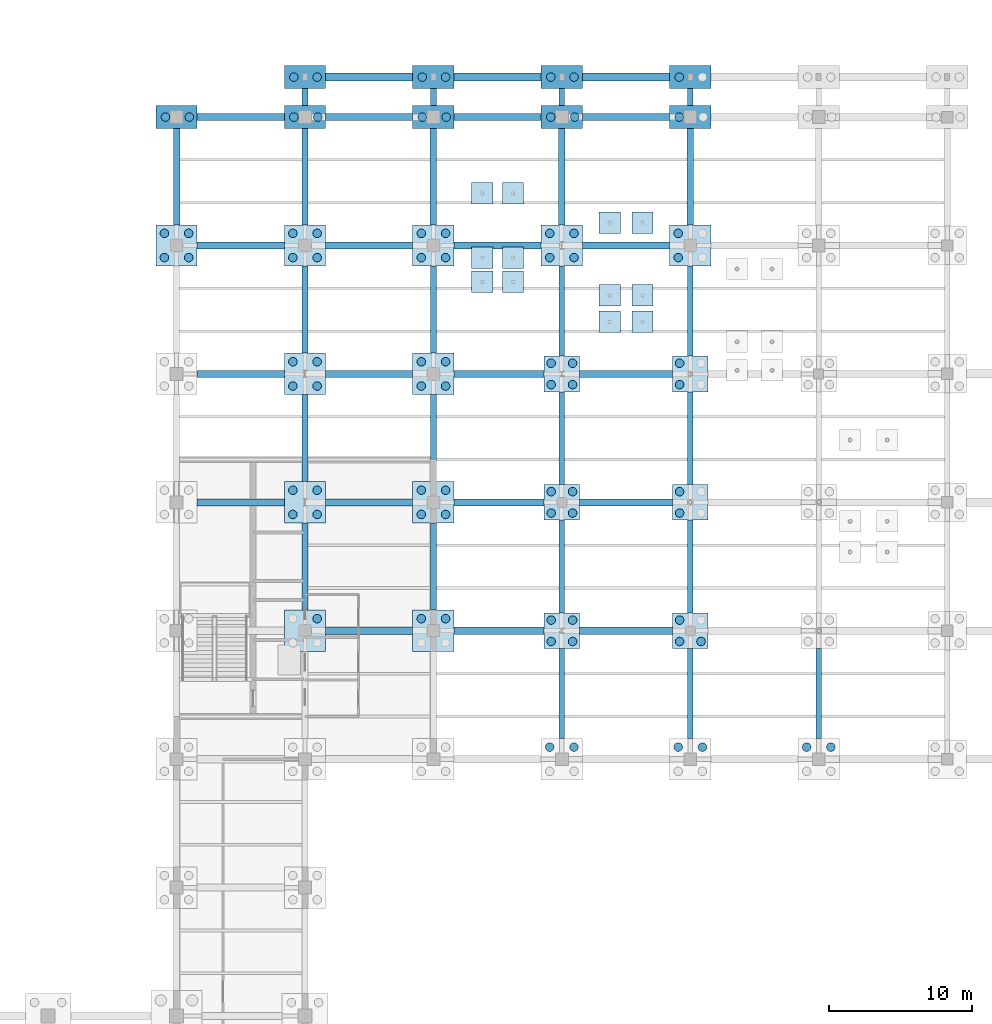
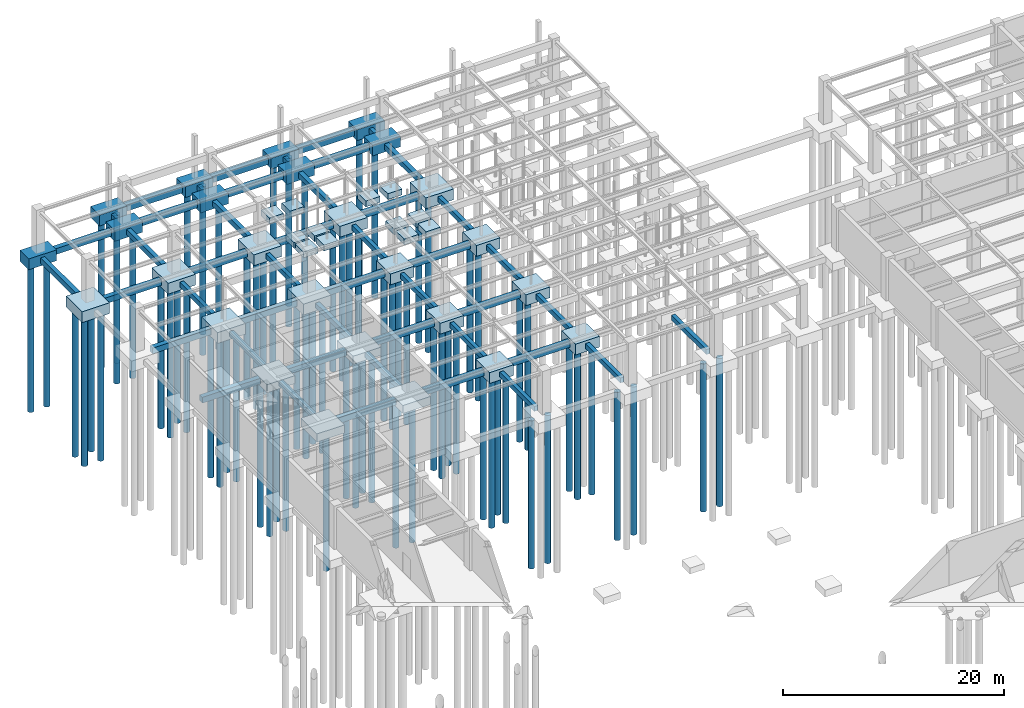
# One storey, part 5 of 49: 84 footings, 78 piles.
"""IFC4 building model written with IfcOpenShell, lengths in metres."""

from ifc_helpers import new_model, si_unit, direction, frame, origin, origin_2d, place, context, subcontext, project, spatial, rectangle, circle, extrude, material, material_profile, profile_set, type_object, element, save


model = new_model("IFC4")

# Units and contexts
model_context = context("Model", 3, precision=1e-05, world=origin(), true_north=direction((0.0, 1.0)))
body_context = subcontext(model_context, "Body", "Model", "MODEL_VIEW")
ifc_project = project(units=[si_unit("LENGTHUNIT", "METRE"), si_unit("AREAUNIT", "SQUARE_METRE"), si_unit("VOLUMEUNIT", "CUBIC_METRE"), si_unit("PLANEANGLEUNIT", "RADIAN"), si_unit("MASSUNIT", "GRAM", prefix="KILO")], contexts=[model_context])

# Site, building, storey
site_placement = place(None, origin())
site = spatial("IfcSite", under=ifc_project, at=site_placement, CompositionType="ELEMENT")
building_placement = place(site_placement, origin())
building = spatial("IfcBuilding", under=site, at=building_placement, Name="Lykobir Media Centre", CompositionType="ELEMENT")
storey_placement = place(building_placement, frame((0.0, 0.0, -4.800048828125)))
storey = spatial("IfcBuildingStorey", under=building, at=storey_placement, Name="B1", CompositionType="ELEMENT", Elevation=-4.800048828125)

# Piles
ifc_material_1 = material(Name="Concrete C30/37", Category="concrete")
ifc_material_profile = material_profile(ifc_material_1, circle(Radius=0.300048828125, at=origin_2d()), Name="BORED PILE D600")
ifc_profile_set = profile_set([ifc_material_profile], Name="Concrete C30/37")
pile_type = type_object("IfcPileType", Name="BP-600", PredefinedType="BORED", material=ifc_profile_set)
for number, where, z_axis, x_axis, name in (
    (1, (26.14990234375, 98.14990234375, -1.099853515625), (0.0, 0.0, -1.0), (1.0, 0.0, 0.0), "Bored pile PILE-0262-0982-1"),
    (2, (27.85009765625, 98.14990234375, -1.099853515625), (0.0, 0.0, -1.0), (1.0, 0.0, 0.0), "Bored pile PILE-0278-0982-2"),
    (3, (26.14990234375, 99.85009765625, -1.099853515625), (0.0, 0.0, -1.0), (1.0, 0.0, 0.0), "Bored pile PILE-0262-0998-3"),
    (4, (27.85009765625, 99.85009765625, -1.099853515625), (0.0, 0.0, -1.0), (1.0, 0.0, 0.0), "Bored pile PILE-0278-0998-4"),
    (5, (26.219970703125, 108.0, -1.099853515625), (0.0, 0.0, -1.0), (1.0, 0.0, 0.0), "Bored pile PILE-0262-1080-1"),
    (6, (27.89990234375, 108.0, -1.099853515625), (0.0, 0.0, -1.0), (1.0, 0.0, 0.0), "Bored pile PILE-0279-1080-2"),
    (7, (36.85009765625, 72.85009765625, -1.099853515625), (0.0, 0.0, -1.0), (1.0, 0.0, 0.0), "Bored pile PILE-0368-0728-4"),
    (8, (35.14990234375, 80.14990234375, -1.099853515625), (0.0, 0.0, -1.0), (1.0, 0.0, 0.0), "Bored pile PILE-0352-0802-1"),
    (9, (36.85009765625, 80.14990234375, -1.099853515625), (0.0, 0.0, -1.0), (1.0, 0.0, 0.0), "Bored pile PILE-0368-0802-2"),
    (10, (35.14990234375, 81.85009765625, -1.099853515625), (0.0, 0.0, -1.0), (1.0, 0.0, 0.0), "Bored pile PILE-0352-0818-3"),
    (11, (36.85009765625, 81.85009765625, -1.099853515625), (0.0, 0.0, -1.0), (1.0, 0.0, 0.0), "Bored pile PILE-0368-0818-4"),
    (12, (35.14990234375, 89.14990234375, -1.099853515625), (0.0, 0.0, -1.0), (1.0, 0.0, 0.0), "Bored pile PILE-0352-0892-1"),
    (13, (36.85009765625, 89.14990234375, -1.099853515625), (0.0, 0.0, -1.0), (1.0, 0.0, 0.0), "Bored pile PILE-0368-0892-2"),
    (14, (35.14990234375, 90.85009765625, -1.099853515625), (0.0, 0.0, -1.0), (1.0, 0.0, 0.0), "Bored pile PILE-0352-0908-3"),
    (15, (36.85009765625, 90.85009765625, -1.099853515625), (0.0, 0.0, -1.0), (1.0, 0.0, 0.0), "Bored pile PILE-0368-0908-4"),
    (16, (35.14990234375, 98.14990234375, -1.099853515625), (0.0, 0.0, -1.0), (1.0, 0.0, 0.0), "Bored pile PILE-0352-0982-1"),
    (17, (36.85009765625, 98.14990234375, -1.099853515625), (0.0, 0.0, -1.0), (1.0, 0.0, 0.0), "Bored pile PILE-0368-0982-2"),
    (18, (35.14990234375, 99.85009765625, -1.099853515625), (0.0, 0.0, -1.0), (1.0, 0.0, 0.0), "Bored pile PILE-0352-0998-3"),
    (19, (36.85009765625, 99.85009765625, -1.099853515625), (0.0, 0.0, -1.0), (1.0, 0.0, 0.0), "Bored pile PILE-0368-0998-4"),
    (20, (35.219970703125, 108.0, -1.099853515625), (0.0, 0.0, -1.0), (1.0, 0.0, 0.0), "Bored pile PILE-0352-1080-1"),
    (21, (36.89990234375, 108.0, -1.099853515625), (0.0, 0.0, -1.0), (1.0, 0.0, 0.0), "Bored pile PILE-0369-1080-2"),
    (22, (44.14990234375, 72.85009765625, -1.099853515625), (0.0, 0.0, -1.0), (1.0, 0.0, 0.0), "Bored pile PILE-0442-0728-3"),
    (23, (45.85009765625, 72.85009765625, -1.099853515625), (0.0, 0.0, -1.0), (1.0, 0.0, 0.0), "Bored pile PILE-0458-0728-4"),
    (24, (44.14990234375, 80.14990234375, -1.099853515625), (0.0, 0.0, -1.0), (1.0, 0.0, 0.0), "Bored pile PILE-0442-0802-1"),
    (25, (45.85009765625, 80.14990234375, -1.099853515625), (0.0, 0.0, -1.0), (1.0, 0.0, 0.0), "Bored pile PILE-0458-0802-2"),
    (26, (44.14990234375, 81.85009765625, -1.099853515625), (0.0, 0.0, -1.0), (1.0, 0.0, 0.0), "Bored pile PILE-0442-0818-3"),
    (27, (45.85009765625, 81.85009765625, -1.099853515625), (0.0, 0.0, -1.0), (1.0, 0.0, 0.0), "Bored pile PILE-0458-0818-4"),
    (28, (44.14990234375, 89.14990234375, -1.099853515625), (0.0, 0.0, -1.0), (1.0, 0.0, 0.0), "Bored pile PILE-0442-0892-1"),
    (29, (45.85009765625, 89.14990234375, -1.099853515625), (0.0, 0.0, -1.0), (1.0, 0.0, 0.0), "Bored pile PILE-0458-0892-2"),
    (30, (44.14990234375, 90.85009765625, -1.099853515625), (0.0, 0.0, -1.0), (1.0, 0.0, 0.0), "Bored pile PILE-0442-0908-3"),
    (31, (45.85009765625, 90.85009765625, -1.099853515625), (0.0, 0.0, -1.0), (1.0, 0.0, 0.0), "Bored pile PILE-0458-0908-4"),
    (32, (44.14990234375, 98.14990234375, -1.099853515625), (0.0, 0.0, -1.0), (1.0, 0.0, 0.0), "Bored pile PILE-0442-0982-1"),
    (33, (45.85009765625, 98.14990234375, -1.099853515625), (0.0, 0.0, -1.0), (1.0, 0.0, 0.0), "Bored pile PILE-0458-0982-2"),
    (34, (44.14990234375, 99.85009765625, -1.099853515625), (0.0, 0.0, -1.0), (1.0, 0.0, 0.0), "Bored pile PILE-0442-0998-3"),
    (35, (45.85009765625, 99.85009765625, -1.099853515625), (0.0, 0.0, -1.0), (1.0, 0.0, 0.0), "Bored pile PILE-0458-0998-4"),
    (36, (44.219970703125, 108.0, -1.099853515625), (0.0, 0.0, -1.0), (1.0, 0.0, 0.0), "Bored pile PILE-0442-1080-1"),
    (37, (45.89990234375, 108.0, -1.099853515625), (0.0, 0.0, -1.0), (1.0, 0.0, 0.0), "Bored pile PILE-0459-1080-2"),
    (38, (53.14990234375, 63.85009765625, -1.099853515625), (0.0, 0.0, -1.0), (1.0, 0.0, 0.0), "Bored pile PILE-0532-0638-3"),
    (39, (54.85009765625, 63.85009765625, -1.099853515625), (0.0, 0.0, -1.0), (1.0, 0.0, 0.0), "Bored pile PILE-0548-0638-4"),
    (40, (53.25, 71.25, -1.099853515625), (0.0, 0.0, -1.0), (1.0, 0.0, 0.0), "Bored pile PILE-0532-0712-1"),
    (41, (54.75, 71.25, -1.099853515625), (0.0, 0.0, -1.0), (1.0, 0.0, 0.0), "Bored pile PILE-0548-0712-2"),
    (42, (53.25, 72.75, -1.099853515625), (0.0, 0.0, -1.0), (1.0, 0.0, 0.0), "Bored pile PILE-0532-0728-3"),
    (43, (54.75, 72.75, -1.099853515625), (0.0, 0.0, -1.0), (1.0, 0.0, 0.0), "Bored pile PILE-0548-0728-4"),
    (44, (53.25, 80.25, -1.099853515625), (0.0, 0.0, -1.0), (1.0, 0.0, 0.0), "Bored pile PILE-0532-0802-1"),
    (45, (54.75, 80.25, -1.099853515625), (0.0, 0.0, -1.0), (1.0, 0.0, 0.0), "Bored pile PILE-0548-0802-2"),
    (46, (53.25, 81.75, -1.099853515625), (0.0, 0.0, -1.0), (1.0, 0.0, 0.0), "Bored pile PILE-0532-0818-3"),
    (47, (54.75, 81.75, -1.099853515625), (0.0, 0.0, -1.0), (1.0, 0.0, 0.0), "Bored pile PILE-0548-0818-4"),
    (48, (53.25, 89.25, -1.099853515625), (0.0, 0.0, -1.0), (1.0, 0.0, 0.0), "Bored pile PILE-0532-0892-1"),
    (49, (54.75, 89.25, -1.099853515625), (0.0, 0.0, -1.0), (1.0, 0.0, 0.0), "Bored pile PILE-0548-0892-2"),
    (50, (53.25, 90.75, -1.099853515625), (0.0, 0.0, -1.0), (1.0, 0.0, 0.0), "Bored pile PILE-0532-0908-3"),
    (51, (54.75, 90.75, -1.099853515625), (0.0, 0.0, -1.0), (1.0, 0.0, 0.0), "Bored pile PILE-0548-0908-4"),
    (52, (53.14990234375, 98.14990234375, -1.099853515625), (0.0, 0.0, -1.0), (1.0, 0.0, 0.0), "Bored pile PILE-0532-0982-1"),
    (53, (54.85009765625, 98.14990234375, -1.099853515625), (0.0, 0.0, -1.0), (1.0, 0.0, 0.0), "Bored pile PILE-0548-0982-2"),
    (54, (53.14990234375, 99.85009765625, -1.099853515625), (0.0, 0.0, -1.0), (1.0, 0.0, 0.0), "Bored pile PILE-0532-0998-3"),
    (55, (54.85009765625, 99.85009765625, -1.099853515625), (0.0, 0.0, -1.0), (1.0, 0.0, 0.0), "Bored pile PILE-0548-0998-4"),
    (56, (53.219970703125, 108.0, -1.099853515625), (0.0, 0.0, -1.0), (1.0, 0.0, 0.0), "Bored pile PILE-0532-1080-1"),
    (57, (54.89990234375, 108.0, -1.099853515625), (0.0, 0.0, -1.0), (1.0, 0.0, 0.0), "Bored pile PILE-0549-1080-2"),
    (58, (62.14990234375, 63.85009765625, -1.099853515625), (0.0, 0.0, -1.0), (1.0, 0.0, 0.0), "Bored pile PILE-0622-0638-3"),
    (59, (63.85009765625, 63.85009765625, -1.099853515625), (0.0, 0.0, -1.0), (1.0, 0.0, 0.0), "Bored pile PILE-0638-0638-4"),
    (60, (62.25, 71.25, -1.099853515625), (0.0, 0.0, -1.0), (1.0, 0.0, 0.0), "Bored pile PILE-0622-0712-1"),
    (61, (63.75, 71.25, -1.099853515625), (0.0, 0.0, -1.0), (1.0, 0.0, 0.0), "Bored pile PILE-0638-0712-2"),
    (62, (62.25, 72.75, -1.099853515625), (0.0, 0.0, -1.0), (1.0, 0.0, 0.0), "Bored pile PILE-0622-0728-3"),
    (63, (62.25, 80.25, -1.099853515625), (0.0, 0.0, -1.0), (1.0, 0.0, 0.0), "Bored pile PILE-0622-0802-1"),
    (64, (62.25, 81.75, -1.099853515625), (0.0, 0.0, -1.0), (1.0, 0.0, 0.0), "Bored pile PILE-0622-0818-3"),
    (65, (62.25, 89.25, -1.099853515625), (0.0, 0.0, -1.0), (1.0, 0.0, 0.0), "Bored pile PILE-0622-0892-1"),
    (66, (62.25, 90.75, -1.099853515625), (0.0, 0.0, -1.0), (1.0, 0.0, 0.0), "Bored pile PILE-0622-0908-3"),
    (67, (62.14990234375, 98.14990234375, -1.099853515625), (0.0, 0.0, -1.0), (1.0, 0.0, 0.0), "Bored pile PILE-0622-0982-1"),
    (68, (62.14990234375, 99.85009765625, -1.099853515625), (0.0, 0.0, -1.0), (1.0, 0.0, 0.0), "Bored pile PILE-0622-0998-3"),
    (69, (62.219970703125, 108.0, -1.099853515625), (0.0, 0.0, -1.0), (1.0, 0.0, 0.0), "Bored pile PILE-0622-1080-1"),
    (70, (71.14990234375, 63.85009765625, -1.099853515625), (0.0, 0.0, -1.0), (1.0, 0.0, 0.0), "Bored pile PILE-0712-0638-3"),
    (71, (72.85009765625, 63.85009765625, -1.099853515625), (0.0, 0.0, -1.0), (1.0, 0.0, 0.0), "Bored pile PILE-0728-0638-4"),
    (72, (35.219970703125, 110.800048828125, -1.099853515625), (0.0, 0.0, -1.0), (1.0, 0.0, 0.0), "Colonnade bored pile PILE-RVK-0352-1108-1"),
    (73, (36.85009765625, 110.800048828125, -1.099853515625), (0.0, 0.0, -1.0), (1.0, 0.0, 0.0), "Colonnade bored pile PILE-RVK-0368-1108-2"),
    (74, (44.219970703125, 110.800048828125, -1.099853515625), (0.0, 0.0, -1.0), (1.0, 0.0, 0.0), "Colonnade bored pile PILE-RVK-0442-1108-1"),
    (75, (45.85009765625, 110.800048828125, -1.099853515625), (0.0, 0.0, -1.0), (1.0, 0.0, 0.0), "Colonnade bored pile PILE-RVK-0458-1108-2"),
    (76, (53.219970703125, 110.800048828125, -1.099853515625), (0.0, 0.0, -1.0), (1.0, 0.0, 0.0), "Colonnade bored pile PILE-RVK-0532-1108-1"),
    (77, (54.85009765625, 110.800048828125, -1.099853515625), (0.0, 0.0, -1.0), (1.0, 0.0, 0.0), "Colonnade bored pile PILE-RVK-0548-1108-2"),
    (78, (62.219970703125, 110.800048828125, -1.099853515625), (0.0, 0.0, -1.0), (1.0, 0.0, 0.0), "Colonnade bored pile PILE-RVK-0622-1108-1"),
):
    element("IfcPile", number, at=place(storey_placement, frame(where, z_axis=z_axis, x_axis=x_axis)), inside=storey, type_object=pile_type, Name=name, PredefinedType="BORED", context=body_context, shape_type="SweptSolid", body=[
        extrude(circle(Radius=0.300048828125, at=origin_2d()), origin(), (0.0, 0.0, 1.0), 16.39990234375),
    ])

# Footings
ifc_material_2 = material(Name="Concrete C35/45", Category="concrete")
footing_type_1 = type_object("IfcFootingType", Name="GB-2", PredefinedType="FOOTING_BEAM", material=ifc_material_2)
for number, where, z_axis, x_axis, name in (
    (79, (40.5, 110.800048828125, -1.0), (0.0, 0.0, 1.0), (1.0, 0.0, 0.0), "Ground tie beam FTG-GB-X-181"),
    (80, (49.5, 110.800048828125, -1.0), (0.0, 0.0, 1.0), (1.0, 0.0, 0.0), "Ground tie beam FTG-GB-X-182"),
    (81, (58.5, 110.800048828125, -1.0), (0.0, 0.0, 1.0), (1.0, 0.0, 0.0), "Ground tie beam FTG-GB-X-183"),
):
    element("IfcFooting", number, at=place(storey_placement, frame(where, z_axis=z_axis, x_axis=x_axis)), inside=storey, type_object=footing_type_1, Name=name, PredefinedType="FOOTING_BEAM", context=body_context, shape_type="SweptSolid", body=[
        extrude(rectangle(XDim=6.10009765625, YDim=0.550048828125, at=origin_2d()), origin(), (0.0, 0.0, 1.0), 0.699951171875),
    ])
footing_type_2 = type_object("IfcFootingType", Name="GB-3", PredefinedType="FOOTING_BEAM", material=ifc_material_2)
footing_1_placement = place(storey_placement, frame((40.5, 72.0, -0.949951171875), z_axis=(0.0, 0.0, 1.0), x_axis=(1.0, 0.0, 0.0)))
element("IfcFooting", 82, at=footing_1_placement, inside=storey, type_object=footing_type_2, Name="Ground tie beam FTG-GB-X-118", PredefinedType="FOOTING_BEAM", context=body_context, shape_type="SweptSolid", body=[
    extrude(rectangle(XDim=6.10009765625, YDim=0.5, at=origin_2d()), origin(), (0.0, 0.0, 1.0), 0.64990234375),
])
footing_2_placement = place(storey_placement, frame((49.60009765625, 72.0, -0.949951171875), z_axis=(0.0, 0.0, 1.0), x_axis=(1.0, 0.0, 0.0)))
element("IfcFooting", 83, at=footing_2_placement, inside=storey, type_object=footing_type_2, Name="Ground tie beam FTG-GB-X-119", PredefinedType="FOOTING_BEAM", context=body_context, shape_type="SweptSolid", body=[
    extrude(rectangle(XDim=6.300048828125, YDim=0.5, at=origin_2d()), origin(), (0.0, 0.0, 1.0), 0.64990234375),
])
footing_3_placement = place(storey_placement, frame((58.5, 72.0, -0.949951171875), z_axis=(0.0, 0.0, 1.0), x_axis=(1.0, 0.0, 0.0)))
element("IfcFooting", 84, at=footing_3_placement, inside=storey, type_object=footing_type_2, Name="Ground tie beam FTG-GB-X-120", PredefinedType="FOOTING_BEAM", context=body_context, shape_type="SweptSolid", body=[
    extrude(rectangle(XDim=6.5, YDim=0.5, at=origin_2d()), origin(), (0.0, 0.0, 1.0), 0.64990234375),
])
for number, where, z_axis, x_axis, name in (
    (85, (31.5, 81.0, -0.949951171875), (0.0, 0.0, 1.0), (1.0, 0.0, 0.0), "Ground tie beam FTG-GB-X-133"),
    (86, (40.5, 81.0, -0.949951171875), (0.0, 0.0, 1.0), (1.0, 0.0, 0.0), "Ground tie beam FTG-GB-X-134"),
):
    element("IfcFooting", number, at=place(storey_placement, frame(where, z_axis=z_axis, x_axis=x_axis)), inside=storey, type_object=footing_type_2, Name=name, PredefinedType="FOOTING_BEAM", context=body_context, shape_type="SweptSolid", body=[
        extrude(rectangle(XDim=6.10009765625, YDim=0.5, at=origin_2d()), origin(), (0.0, 0.0, 1.0), 0.64990234375),
    ])
footing_4_placement = place(storey_placement, frame((49.60009765625, 81.0, -0.949951171875), z_axis=(0.0, 0.0, 1.0), x_axis=(1.0, 0.0, 0.0)))
element("IfcFooting", 87, at=footing_4_placement, inside=storey, type_object=footing_type_2, Name="Ground tie beam FTG-GB-X-135", PredefinedType="FOOTING_BEAM", context=body_context, shape_type="SweptSolid", body=[
    extrude(rectangle(XDim=6.300048828125, YDim=0.5, at=origin_2d()), origin(), (0.0, 0.0, 1.0), 0.64990234375),
])
footing_5_placement = place(storey_placement, frame((58.5, 81.0, -0.949951171875), z_axis=(0.0, 0.0, 1.0), x_axis=(1.0, 0.0, 0.0)))
element("IfcFooting", 88, at=footing_5_placement, inside=storey, type_object=footing_type_2, Name="Ground tie beam FTG-GB-X-136", PredefinedType="FOOTING_BEAM", context=body_context, shape_type="SweptSolid", body=[
    extrude(rectangle(XDim=6.5, YDim=0.5, at=origin_2d()), origin(), (0.0, 0.0, 1.0), 0.64990234375),
])
for number, where, z_axis, x_axis, name in (
    (89, (31.5, 90.0, -0.949951171875), (0.0, 0.0, 1.0), (1.0, 0.0, 0.0), "Ground tie beam FTG-GB-X-148"),
    (90, (40.5, 90.0, -0.949951171875), (0.0, 0.0, 1.0), (1.0, 0.0, 0.0), "Ground tie beam FTG-GB-X-149"),
):
    element("IfcFooting", number, at=place(storey_placement, frame(where, z_axis=z_axis, x_axis=x_axis)), inside=storey, type_object=footing_type_2, Name=name, PredefinedType="FOOTING_BEAM", context=body_context, shape_type="SweptSolid", body=[
        extrude(rectangle(XDim=6.10009765625, YDim=0.5, at=origin_2d()), origin(), (0.0, 0.0, 1.0), 0.64990234375),
    ])
footing_6_placement = place(storey_placement, frame((49.60009765625, 90.0, -0.949951171875), z_axis=(0.0, 0.0, 1.0), x_axis=(1.0, 0.0, 0.0)))
element("IfcFooting", 91, at=footing_6_placement, inside=storey, type_object=footing_type_2, Name="Ground tie beam FTG-GB-X-150", PredefinedType="FOOTING_BEAM", context=body_context, shape_type="SweptSolid", body=[
    extrude(rectangle(XDim=6.300048828125, YDim=0.5, at=origin_2d()), origin(), (0.0, 0.0, 1.0), 0.64990234375),
])
footing_7_placement = place(storey_placement, frame((58.5, 90.0, -0.949951171875), z_axis=(0.0, 0.0, 1.0), x_axis=(1.0, 0.0, 0.0)))
element("IfcFooting", 92, at=footing_7_placement, inside=storey, type_object=footing_type_2, Name="Ground tie beam FTG-GB-X-151", PredefinedType="FOOTING_BEAM", context=body_context, shape_type="SweptSolid", body=[
    extrude(rectangle(XDim=6.5, YDim=0.5, at=origin_2d()), origin(), (0.0, 0.0, 1.0), 0.64990234375),
])
for number, where, z_axis, x_axis, name in (
    (93, (31.5, 99.0, -0.949951171875), (0.0, 0.0, 1.0), (1.0, 0.0, 0.0), "Ground tie beam FTG-GB-X-163"),
    (94, (40.5, 99.0, -0.949951171875), (0.0, 0.0, 1.0), (1.0, 0.0, 0.0), "Ground tie beam FTG-GB-X-164"),
    (95, (49.5, 99.0, -0.949951171875), (0.0, 0.0, 1.0), (1.0, 0.0, 0.0), "Ground tie beam FTG-GB-X-165"),
    (96, (58.5, 99.0, -0.949951171875), (0.0, 0.0, 1.0), (1.0, 0.0, 0.0), "Ground tie beam FTG-GB-X-166"),
    (97, (31.5, 108.0, -0.949951171875), (0.0, 0.0, 1.0), (1.0, 0.0, 0.0), "Ground tie beam FTG-GB-X-172"),
    (98, (40.5, 108.0, -0.949951171875), (0.0, 0.0, 1.0), (1.0, 0.0, 0.0), "Ground tie beam FTG-GB-X-173"),
    (99, (49.5, 108.0, -0.949951171875), (0.0, 0.0, 1.0), (1.0, 0.0, 0.0), "Ground tie beam FTG-GB-X-174"),
    (100, (58.5, 108.0, -0.949951171875), (0.0, 0.0, 1.0), (1.0, 0.0, 0.0), "Ground tie beam FTG-GB-X-175"),
):
    element("IfcFooting", number, at=place(storey_placement, frame(where, z_axis=z_axis, x_axis=x_axis)), inside=storey, type_object=footing_type_2, Name=name, PredefinedType="FOOTING_BEAM", context=body_context, shape_type="SweptSolid", body=[
        extrude(rectangle(XDim=6.10009765625, YDim=0.5, at=origin_2d()), origin(), (0.0, 0.0, 1.0), 0.64990234375),
    ])
footing_type_3 = type_object("IfcFootingType", Name="GB-4", PredefinedType="FOOTING_BEAM", material=ifc_material_2)
for number, where, z_axis, x_axis, name in (
    (101, (27.0, 103.824951171875, -0.89990234375), (0.0, 0.0, 1.0), (0.0, 1.0, 0.0), "Ground tie beam FTG-GB-Y-216"),
    (102, (36.0, 103.824951171875, -0.89990234375), (0.0, 0.0, 1.0), (0.0, 1.0, 0.0), "Ground tie beam FTG-GB-Y-228"),
    (103, (45.0, 103.824951171875, -0.89990234375), (0.0, 0.0, 1.0), (0.0, 1.0, 0.0), "Ground tie beam FTG-GB-Y-236"),
    (104, (54.0, 103.824951171875, -0.89990234375), (0.0, 0.0, 1.0), (0.0, 1.0, 0.0), "Ground tie beam FTG-GB-Y-244"),
    (105, (63.0, 103.824951171875, -0.89990234375), (0.0, 0.0, 1.0), (0.0, 1.0, 0.0), "Ground tie beam FTG-GB-Y-252"),
):
    element("IfcFooting", number, at=place(storey_placement, frame(where, z_axis=z_axis, x_axis=x_axis)), inside=storey, type_object=footing_type_3, Name=name, PredefinedType="FOOTING_BEAM", context=body_context, shape_type="SweptSolid", body=[
        extrude(rectangle(XDim=6.75, YDim=0.449951171875, at=origin_2d()), origin(), (0.0, 0.0, 1.0), 0.60009765625),
    ])
footing_type_4 = type_object("IfcFootingType", Name="GB-5", PredefinedType="FOOTING_BEAM", material=ifc_material_2)
for number, where, z_axis, x_axis, name in (
    (106, (36.0, 76.5, -0.85009765625), (0.0, 0.0, 1.0), (0.0, 1.0, 0.0), "Ground tie beam FTG-GB-Y-225"),
    (107, (36.0, 85.5, -0.85009765625), (0.0, 0.0, 1.0), (0.0, 1.0, 0.0), "Ground tie beam FTG-GB-Y-226"),
    (108, (36.0, 94.5, -0.85009765625), (0.0, 0.0, 1.0), (0.0, 1.0, 0.0), "Ground tie beam FTG-GB-Y-227"),
):
    element("IfcFooting", number, at=place(storey_placement, frame(where, z_axis=z_axis, x_axis=x_axis)), inside=storey, type_object=footing_type_4, Name=name, PredefinedType="FOOTING_BEAM", context=body_context, shape_type="SweptSolid", body=[
        extrude(rectangle(XDim=6.10009765625, YDim=0.39990234375, at=origin_2d()), origin(), (0.0, 0.0, 1.0), 0.550048828125),
    ])
footing_8_placement = place(storey_placement, frame((36.0, 109.39990234375, -0.85009765625), z_axis=(0.0, 0.0, 1.0), x_axis=(0.0, 1.0, 0.0)))
element("IfcFooting", 109, at=footing_8_placement, inside=storey, type_object=footing_type_4, Name="Ground tie beam FTG-GB-Y-229", PredefinedType="FOOTING_BEAM", context=body_context, shape_type="SweptSolid", body=[
    extrude(rectangle(XDim=1.199951171875, YDim=0.39990234375, at=origin_2d()), origin(), (0.0, 0.0, 1.0), 0.550048828125),
])
for number, where, z_axis, x_axis, name in (
    (110, (45.0, 76.5, -0.85009765625), (0.0, 0.0, 1.0), (0.0, 1.0, 0.0), "Ground tie beam FTG-GB-Y-233"),
    (111, (45.0, 85.5, -0.85009765625), (0.0, 0.0, 1.0), (0.0, 1.0, 0.0), "Ground tie beam FTG-GB-Y-234"),
    (112, (45.0, 94.5, -0.85009765625), (0.0, 0.0, 1.0), (0.0, 1.0, 0.0), "Ground tie beam FTG-GB-Y-235"),
):
    element("IfcFooting", number, at=place(storey_placement, frame(where, z_axis=z_axis, x_axis=x_axis)), inside=storey, type_object=footing_type_4, Name=name, PredefinedType="FOOTING_BEAM", context=body_context, shape_type="SweptSolid", body=[
        extrude(rectangle(XDim=6.10009765625, YDim=0.39990234375, at=origin_2d()), origin(), (0.0, 0.0, 1.0), 0.550048828125),
    ])
footing_9_placement = place(storey_placement, frame((45.0, 109.39990234375, -0.85009765625), z_axis=(0.0, 0.0, 1.0), x_axis=(0.0, 1.0, 0.0)))
element("IfcFooting", 113, at=footing_9_placement, inside=storey, type_object=footing_type_4, Name="Ground tie beam FTG-GB-Y-237", PredefinedType="FOOTING_BEAM", context=body_context, shape_type="SweptSolid", body=[
    extrude(rectangle(XDim=1.199951171875, YDim=0.39990234375, at=origin_2d()), origin(), (0.0, 0.0, 1.0), 0.550048828125),
])
footing_10_placement = place(storey_placement, frame((54.0, 67.60009765625, -0.85009765625), z_axis=(0.0, 0.0, 1.0), x_axis=(0.0, 1.0, 0.0)))
element("IfcFooting", 114, at=footing_10_placement, inside=storey, type_object=footing_type_4, Name="Ground tie beam FTG-GB-Y-240", PredefinedType="FOOTING_BEAM", context=body_context, shape_type="SweptSolid", body=[
    extrude(rectangle(XDim=6.300048828125, YDim=0.39990234375, at=origin_2d()), origin(), (0.0, 0.0, 1.0), 0.550048828125),
])
for number, where, z_axis, x_axis, name in (
    (115, (54.0, 76.5, -0.85009765625), (0.0, 0.0, 1.0), (0.0, 1.0, 0.0), "Ground tie beam FTG-GB-Y-241"),
    (116, (54.0, 85.5, -0.85009765625), (0.0, 0.0, 1.0), (0.0, 1.0, 0.0), "Ground tie beam FTG-GB-Y-242"),
):
    element("IfcFooting", number, at=place(storey_placement, frame(where, z_axis=z_axis, x_axis=x_axis)), inside=storey, type_object=footing_type_4, Name=name, PredefinedType="FOOTING_BEAM", context=body_context, shape_type="SweptSolid", body=[
        extrude(rectangle(XDim=6.5, YDim=0.39990234375, at=origin_2d()), origin(), (0.0, 0.0, 1.0), 0.550048828125),
    ])
footing_11_placement = place(storey_placement, frame((54.0, 94.39990234375, -0.85009765625), z_axis=(0.0, 0.0, 1.0), x_axis=(0.0, 1.0, 0.0)))
element("IfcFooting", 117, at=footing_11_placement, inside=storey, type_object=footing_type_4, Name="Ground tie beam FTG-GB-Y-243", PredefinedType="FOOTING_BEAM", context=body_context, shape_type="SweptSolid", body=[
    extrude(rectangle(XDim=6.300048828125, YDim=0.39990234375, at=origin_2d()), origin(), (0.0, 0.0, 1.0), 0.550048828125),
])
footing_12_placement = place(storey_placement, frame((54.0, 109.39990234375, -0.85009765625), z_axis=(0.0, 0.0, 1.0), x_axis=(0.0, 1.0, 0.0)))
element("IfcFooting", 118, at=footing_12_placement, inside=storey, type_object=footing_type_4, Name="Ground tie beam FTG-GB-Y-245", PredefinedType="FOOTING_BEAM", context=body_context, shape_type="SweptSolid", body=[
    extrude(rectangle(XDim=1.199951171875, YDim=0.39990234375, at=origin_2d()), origin(), (0.0, 0.0, 1.0), 0.550048828125),
])
footing_13_placement = place(storey_placement, frame((63.0, 67.60009765625, -0.85009765625), z_axis=(0.0, 0.0, 1.0), x_axis=(0.0, 1.0, 0.0)))
element("IfcFooting", 119, at=footing_13_placement, inside=storey, type_object=footing_type_4, Name="Ground tie beam FTG-GB-Y-248", PredefinedType="FOOTING_BEAM", context=body_context, shape_type="SweptSolid", body=[
    extrude(rectangle(XDim=6.300048828125, YDim=0.39990234375, at=origin_2d()), origin(), (0.0, 0.0, 1.0), 0.550048828125),
])
for number, where, z_axis, x_axis, name in (
    (120, (63.0, 76.5, -0.85009765625), (0.0, 0.0, 1.0), (0.0, 1.0, 0.0), "Ground tie beam FTG-GB-Y-249"),
    (121, (63.0, 85.5, -0.85009765625), (0.0, 0.0, 1.0), (0.0, 1.0, 0.0), "Ground tie beam FTG-GB-Y-250"),
):
    element("IfcFooting", number, at=place(storey_placement, frame(where, z_axis=z_axis, x_axis=x_axis)), inside=storey, type_object=footing_type_4, Name=name, PredefinedType="FOOTING_BEAM", context=body_context, shape_type="SweptSolid", body=[
        extrude(rectangle(XDim=6.5, YDim=0.39990234375, at=origin_2d()), origin(), (0.0, 0.0, 1.0), 0.550048828125),
    ])
footing_14_placement = place(storey_placement, frame((63.0, 94.39990234375, -0.85009765625), z_axis=(0.0, 0.0, 1.0), x_axis=(0.0, 1.0, 0.0)))
element("IfcFooting", 122, at=footing_14_placement, inside=storey, type_object=footing_type_4, Name="Ground tie beam FTG-GB-Y-251", PredefinedType="FOOTING_BEAM", context=body_context, shape_type="SweptSolid", body=[
    extrude(rectangle(XDim=6.300048828125, YDim=0.39990234375, at=origin_2d()), origin(), (0.0, 0.0, 1.0), 0.550048828125),
])
footing_15_placement = place(storey_placement, frame((63.0, 109.39990234375, -0.85009765625), z_axis=(0.0, 0.0, 1.0), x_axis=(0.0, 1.0, 0.0)))
element("IfcFooting", 123, at=footing_15_placement, inside=storey, type_object=footing_type_4, Name="Ground tie beam FTG-GB-Y-253", PredefinedType="FOOTING_BEAM", context=body_context, shape_type="SweptSolid", body=[
    extrude(rectangle(XDim=1.199951171875, YDim=0.39990234375, at=origin_2d()), origin(), (0.0, 0.0, 1.0), 0.550048828125),
])
footing_16_placement = place(storey_placement, frame((72.0, 67.60009765625, -0.85009765625), z_axis=(0.0, 0.0, 1.0), x_axis=(0.0, 1.0, 0.0)))
element("IfcFooting", 124, at=footing_16_placement, inside=storey, type_object=footing_type_4, Name="Ground tie beam FTG-GB-Y-256", PredefinedType="FOOTING_BEAM", context=body_context, shape_type="SweptSolid", body=[
    extrude(rectangle(XDim=6.300048828125, YDim=0.39990234375, at=origin_2d()), origin(), (0.0, 0.0, 1.0), 0.550048828125),
])
footing_type_5 = type_object("IfcFootingType", Name="PC-4", PredefinedType="PILE_CAP", material=ifc_material_2)
footing_17_placement = place(storey_placement, frame((27.0, 99.0, -1.19970703125), z_axis=(0.0, 0.0, 1.0), x_axis=(1.0, 0.0, 0.0)))
element("IfcFooting", 125, at=footing_17_placement, inside=storey, type_object=footing_type_5, Name="Pile cap FTG-PC-0270-0990", PredefinedType="PILE_CAP", context=body_context, shape_type="SweptSolid", body=[
    extrude(rectangle(XDim=2.89990234375, YDim=2.89990234375, at=origin_2d()), origin(), (0.0, 0.0, 1.0), 1.199951171875),
])
for number, where, z_axis, x_axis, name in (
    (126, (36.0, 72.0, -1.199951171875), (0.0, 0.0, 1.0), (1.0, 0.0, 0.0), "Pile cap FTG-PC-0360-0720"),
    (127, (36.0, 81.0, -1.199951171875), (0.0, 0.0, 1.0), (1.0, 0.0, 0.0), "Pile cap FTG-PC-0360-0810"),
):
    element("IfcFooting", number, at=place(storey_placement, frame(where, z_axis=z_axis, x_axis=x_axis)), inside=storey, type_object=footing_type_5, Name=name, PredefinedType="PILE_CAP", context=body_context, shape_type="SweptSolid", body=[
        extrude(rectangle(XDim=2.89990234375, YDim=2.89990234375, at=origin_2d()), origin(), (0.0, 0.0, 1.0), 0.89990234375),
    ])
for number, where, z_axis, x_axis, name in (
    (128, (36.0, 90.0, -1.19970703125), (0.0, 0.0, 1.0), (1.0, 0.0, 0.0), "Pile cap FTG-PC-0360-0900"),
    (129, (36.0, 99.0, -1.19970703125), (0.0, 0.0, 1.0), (1.0, 0.0, 0.0), "Pile cap FTG-PC-0360-0990"),
):
    element("IfcFooting", number, at=place(storey_placement, frame(where, z_axis=z_axis, x_axis=x_axis)), inside=storey, type_object=footing_type_5, Name=name, PredefinedType="PILE_CAP", context=body_context, shape_type="SweptSolid", body=[
        extrude(rectangle(XDim=2.89990234375, YDim=2.89990234375, at=origin_2d()), origin(), (0.0, 0.0, 1.0), 1.199951171875),
    ])
for number, where, z_axis, x_axis, name in (
    (130, (45.0, 72.0, -1.199951171875), (0.0, 0.0, 1.0), (1.0, 0.0, 0.0), "Pile cap FTG-PC-0450-0720"),
    (131, (45.0, 81.0, -1.199951171875), (0.0, 0.0, 1.0), (1.0, 0.0, 0.0), "Pile cap FTG-PC-0450-0810"),
):
    element("IfcFooting", number, at=place(storey_placement, frame(where, z_axis=z_axis, x_axis=x_axis)), inside=storey, type_object=footing_type_5, Name=name, PredefinedType="PILE_CAP", context=body_context, shape_type="SweptSolid", body=[
        extrude(rectangle(XDim=2.89990234375, YDim=2.89990234375, at=origin_2d()), origin(), (0.0, 0.0, 1.0), 0.89990234375),
    ])
for number, where, z_axis, x_axis, name in (
    (132, (45.0, 90.0, -1.19970703125), (0.0, 0.0, 1.0), (1.0, 0.0, 0.0), "Pile cap FTG-PC-0450-0900"),
    (133, (45.0, 99.0, -1.19970703125), (0.0, 0.0, 1.0), (1.0, 0.0, 0.0), "Pile cap FTG-PC-0450-0990"),
    (134, (54.0, 99.0, -1.19970703125), (0.0, 0.0, 1.0), (1.0, 0.0, 0.0), "Pile cap FTG-PC-0540-0990"),
    (135, (63.0, 99.0, -1.19970703125), (0.0, 0.0, 1.0), (1.0, 0.0, 0.0), "Pile cap FTG-PC-0630-0990"),
):
    element("IfcFooting", number, at=place(storey_placement, frame(where, z_axis=z_axis, x_axis=x_axis)), inside=storey, type_object=footing_type_5, Name=name, PredefinedType="PILE_CAP", context=body_context, shape_type="SweptSolid", body=[
        extrude(rectangle(XDim=2.89990234375, YDim=2.89990234375, at=origin_2d()), origin(), (0.0, 0.0, 1.0), 1.199951171875),
    ])
footing_type_6 = type_object("IfcFootingType", Name="PC-6", PredefinedType="PILE_CAP", material=ifc_material_2)
for number, where, z_axis, x_axis, name in (
    (136, (54.0, 72.0, -1.19970703125), (0.0, 0.0, 1.0), (1.0, 0.0, 0.0), "Pile cap FTG-PC-0540-0720"),
    (137, (54.0, 81.0, -1.19970703125), (0.0, 0.0, 1.0), (1.0, 0.0, 0.0), "Pile cap FTG-PC-0540-0810"),
    (138, (54.0, 90.0, -1.19970703125), (0.0, 0.0, 1.0), (1.0, 0.0, 0.0), "Pile cap FTG-PC-0540-0900"),
    (139, (63.0, 72.0, -1.19970703125), (0.0, 0.0, 1.0), (1.0, 0.0, 0.0), "Pile cap FTG-PC-0630-0720"),
    (140, (63.0, 81.0, -1.19970703125), (0.0, 0.0, 1.0), (1.0, 0.0, 0.0), "Pile cap FTG-PC-0630-0810"),
    (141, (63.0, 90.0, -1.19970703125), (0.0, 0.0, 1.0), (1.0, 0.0, 0.0), "Pile cap FTG-PC-0630-0900"),
):
    element("IfcFooting", number, at=place(storey_placement, frame(where, z_axis=z_axis, x_axis=x_axis)), inside=storey, type_object=footing_type_6, Name=name, PredefinedType="PILE_CAP", context=body_context, shape_type="SweptSolid", body=[
        extrude(rectangle(XDim=2.5, YDim=2.5, at=origin_2d()), origin(), (0.0, 0.0, 1.0), 1.199951171875),
    ])
footing_type_7 = type_object("IfcFootingType", Name="PC-7", PredefinedType="PILE_CAP", material=ifc_material_2)
for number, where, z_axis, x_axis, name in (
    (142, (27.0, 108.0, -1.19970703125), (0.0, 0.0, 1.0), (1.0, 0.0, 0.0), "Pile cap FTG-PC-0270-1080"),
    (143, (36.0, 108.0, -1.19970703125), (0.0, 0.0, 1.0), (1.0, 0.0, 0.0), "Pile cap FTG-PC-0360-1080"),
    (144, (45.0, 108.0, -1.19970703125), (0.0, 0.0, 1.0), (1.0, 0.0, 0.0), "Pile cap FTG-PC-0450-1080"),
    (145, (54.0, 108.0, -1.19970703125), (0.0, 0.0, 1.0), (1.0, 0.0, 0.0), "Pile cap FTG-PC-0540-1080"),
    (146, (63.0, 108.0, -1.19970703125), (0.0, 0.0, 1.0), (1.0, 0.0, 0.0), "Pile cap FTG-PC-0630-1080"),
    (147, (36.0, 110.800048828125, -1.19970703125), (0.0, 0.0, 1.0), (1.0, 0.0, 0.0), "Colonnade pile cap FTG-RVK-0360-1108"),
    (148, (45.0, 110.800048828125, -1.19970703125), (0.0, 0.0, 1.0), (1.0, 0.0, 0.0), "Colonnade pile cap FTG-RVK-0450-1108"),
    (149, (54.0, 110.800048828125, -1.19970703125), (0.0, 0.0, 1.0), (1.0, 0.0, 0.0), "Colonnade pile cap FTG-RVK-0540-1108"),
    (150, (63.0, 110.800048828125, -1.19970703125), (0.0, 0.0, 1.0), (1.0, 0.0, 0.0), "Colonnade pile cap FTG-RVK-0630-1108"),
):
    element("IfcFooting", number, at=place(storey_placement, frame(where, z_axis=z_axis, x_axis=x_axis)), inside=storey, type_object=footing_type_7, Name=name, PredefinedType="PILE_CAP", context=body_context, shape_type="SweptSolid", body=[
        extrude(rectangle(XDim=2.89990234375, YDim=1.60009765625, at=origin_2d()), origin(), (0.0, 0.0, 1.0), 1.199951171875),
    ])
footing_type_8 = type_object("IfcFootingType", Name="PF-3", PredefinedType="PAD_FOOTING", material=ifc_material_2)
for number, where, z_axis, x_axis, name in (
    (151, (57.35009765625, 93.64990234375, -0.64990234375), (0.0, 0.0, 1.0), (1.0, 0.0, 0.0), "Valley stair footing 3-574-936"),
    (152, (57.35009765625, 95.5, -0.64990234375), (0.0, 0.0, 1.0), (1.0, 0.0, 0.0), "Valley stair footing 3-574-955"),
    (153, (59.64990234375, 93.64990234375, -0.64990234375), (0.0, 0.0, 1.0), (1.0, 0.0, 0.0), "Valley stair footing 3-596-936"),
    (154, (59.64990234375, 95.5, -0.64990234375), (0.0, 0.0, 1.0), (1.0, 0.0, 0.0), "Valley stair footing 3-596-955"),
    (155, (57.35009765625, 100.60009765625, -0.64990234375), (0.0, 0.0, 1.0), (1.0, 0.0, 0.0), "Valley arrival footing A3-574"),
    (156, (59.64990234375, 100.60009765625, -0.64990234375), (0.0, 0.0, 1.0), (1.0, 0.0, 0.0), "Valley arrival footing A3-596"),
    (157, (48.425048828125, 96.449951171875, -0.64990234375), (0.0, 0.0, 1.0), (1.0, 0.0, 0.0), "Valley stair footing 4-484-964"),
    (158, (48.425048828125, 98.14990234375, -0.64990234375), (0.0, 0.0, 1.0), (1.0, 0.0, 0.0), "Valley stair footing 4-484-982"),
    (159, (50.574951171875, 96.449951171875, -0.64990234375), (0.0, 0.0, 1.0), (1.0, 0.0, 0.0), "Valley stair footing 4-506-964"),
    (160, (50.574951171875, 98.14990234375, -0.64990234375), (0.0, 0.0, 1.0), (1.0, 0.0, 0.0), "Valley stair footing 4-506-982"),
    (161, (48.425048828125, 102.64990234375, -0.64990234375), (0.0, 0.0, 1.0), (1.0, 0.0, 0.0), "Valley arrival footing A4-484"),
    (162, (50.574951171875, 102.64990234375, -0.64990234375), (0.0, 0.0, 1.0), (1.0, 0.0, 0.0), "Valley arrival footing A4-506"),
):
    element("IfcFooting", number, at=place(storey_placement, frame(where, z_axis=z_axis, x_axis=x_axis)), inside=storey, type_object=footing_type_8, Name=name, PredefinedType="PAD_FOOTING", context=body_context, shape_type="SweptSolid", body=[
        extrude(rectangle(XDim=1.5, YDim=1.5, at=origin_2d()), origin(), (0.0, 0.0, 1.0), 0.64990234375),
    ])

save(model, "model.ifc")
